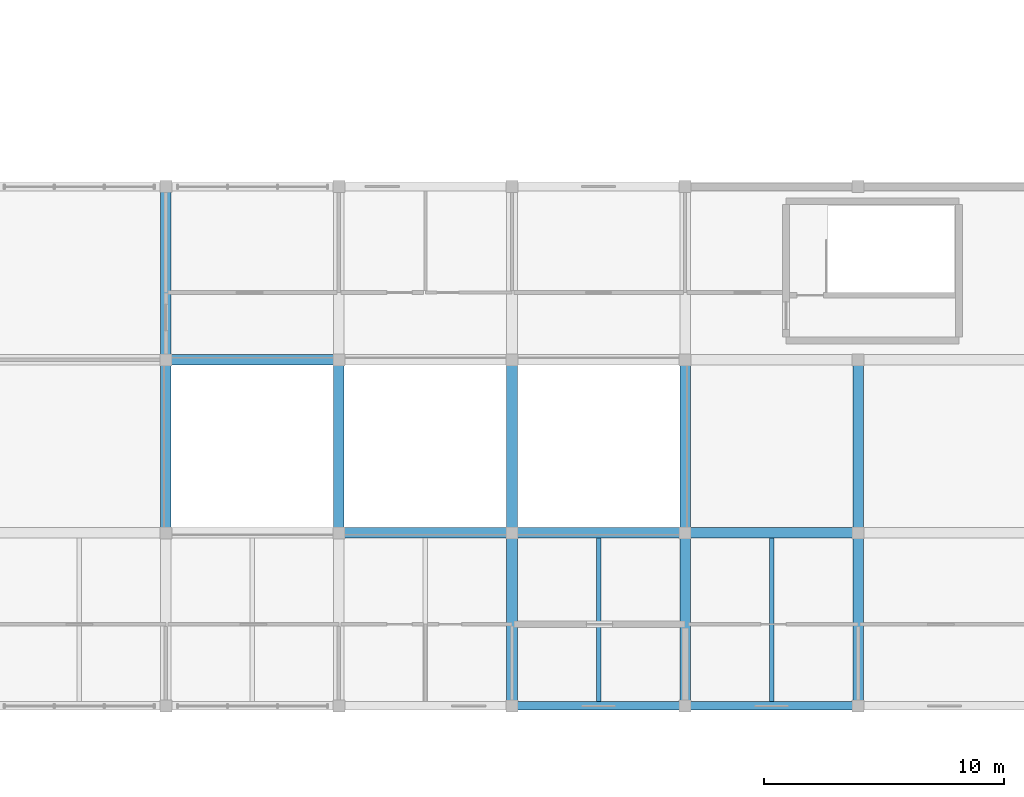
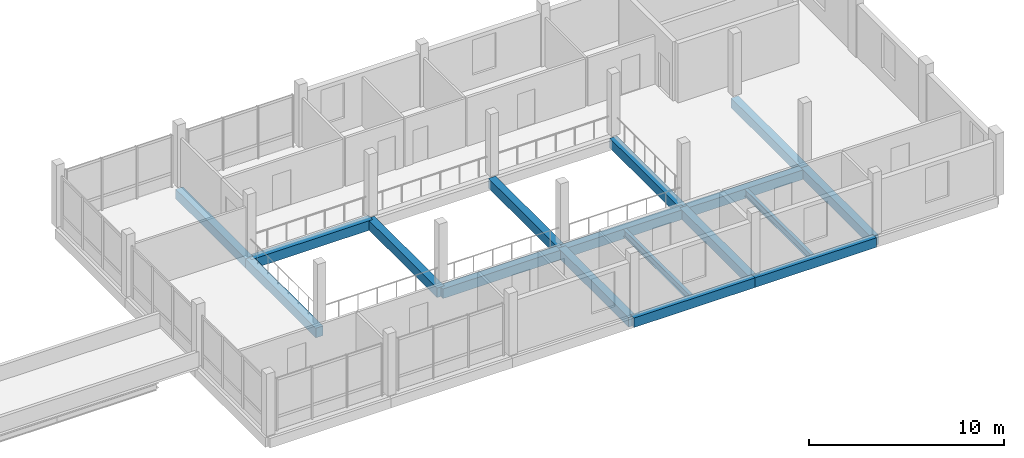
# One storey, part 80 of 128: 17 beams.
"""IFC4 building model written with IfcOpenShell, lengths in metres."""

from ifc_helpers import new_model, si_unit, direction, frame, origin, origin_2d, place, context, subcontext, project, spatial, rectangle, i_section, extrude, material, material_profile, profile_set, type_object, element, save


model = new_model("IFC4")

# Units and contexts
model_context = context("Model", 3, precision=1e-05, world=origin(), true_north=direction((0.0, 1.0)))
body_context = subcontext(model_context, "Body", "Model", "MODEL_VIEW")
ifc_project = project(units=[si_unit("LENGTHUNIT", "METRE"), si_unit("AREAUNIT", "SQUARE_METRE"), si_unit("VOLUMEUNIT", "CUBIC_METRE"), si_unit("PLANEANGLEUNIT", "RADIAN"), si_unit("MASSUNIT", "GRAM", prefix="KILO")], contexts=[model_context])

# Site, building, storey
site_placement = place(None, origin())
site = spatial("IfcSite", under=ifc_project, at=site_placement, CompositionType="ELEMENT")
building_placement = place(site_placement, origin())
building = spatial("IfcBuilding", under=site, at=building_placement, Name="Zornivar Specialist Clinic", CompositionType="ELEMENT")
storey_placement = place(building_placement, frame((0.0, 0.0, 4.5)))
storey = spatial("IfcBuildingStorey", under=building, at=storey_placement, Name="L01", CompositionType="ELEMENT", Elevation=4.5)

# Beams
ifc_material_1 = material(Name="Concrete C30/37", Category="concrete")
ifc_material_profile_1 = material_profile(ifc_material_1, rectangle(XDim=0.43994140625, YDim=0.60009765625, at=origin_2d()), Name="RC 440x600")
ifc_profile_set_1 = profile_set([ifc_material_profile_1], Name="Concrete C30/37")
beam_type_1 = type_object("IfcBeamType", Name="BM-RC-440x600", PredefinedType="BEAM", material=ifc_profile_set_1)
for number, where, z_axis, x_axis, name in (
    (1, (136.800048828125, 7.199951171875, -0.56005859375), (1.0, 0.0, 0.0), (0.0, 1.0, 0.0), "bm:V4:L01:x:72:2"),
    (2, (144.0, 7.199951171875, -0.56005859375), (1.0, 0.0, 0.0), (0.0, 1.0, 0.0), "bm:V4:L01:x:72:3"),
    (3, (151.199951171875, 7.199951171875, -0.56005859375), (1.0, 0.0, 0.0), (0.0, 1.0, 0.0), "bm:V4:L01:x:72:4"),
    (4, (129.60009765625, 14.39990234375, -0.56005859375), (1.0, 0.0, 0.0), (0.0, 1.0, 0.0), "bm:V4:L01:x:144:1"),
    (5, (129.60009765625, 7.199951171875, -0.56005859375), (0.0, 1.0, 0.0), (-1.0, 0.0, 0.0), "bm:V4:L01:y:1296:1"),
):
    element("IfcBeam", number, at=place(storey_placement, frame(where, z_axis=z_axis, x_axis=x_axis)), inside=storey, type_object=beam_type_1, Name=name, PredefinedType="BEAM", context=body_context, shape_type="SweptSolid", body=[
        extrude(rectangle(XDim=0.43994140625, YDim=0.60009765625, at=origin_2d()), origin(), (0.0, 0.0, 1.0), 7.199951171875),
    ])
beam_placement = place(storey_placement, frame((129.60009765625, 14.39990234375, -0.56005859375), z_axis=(0.0, 1.0, 0.0), x_axis=(-1.0, 0.0, 0.0)))
element("IfcBeam", 6, at=beam_placement, inside=storey, type_object=beam_type_1, Name="bm:V4:L01:y:1296:2", PredefinedType="BEAM", context=body_context, shape_type="SweptSolid", body=[
    extrude(rectangle(XDim=0.43994140625, YDim=0.60009765625, at=origin_2d()), origin(), (0.0, 0.0, 1.0), 7.2001953125),
])
for number, where, z_axis, x_axis, name in (
    (7, (136.800048828125, 7.199951171875, -0.56005859375), (0.0, 1.0, 0.0), (-1.0, 0.0, 0.0), "bm:V4:L01:y:1368:1"),
    (8, (144.0, 0.0, -0.56005859375), (0.0, 1.0, 0.0), (-1.0, 0.0, 0.0), "bm:V4:L01:y:1440:0"),
    (9, (144.0, 7.199951171875, -0.56005859375), (0.0, 1.0, 0.0), (-1.0, 0.0, 0.0), "bm:V4:L01:y:1440:1"),
    (10, (151.199951171875, 0.0, -0.56005859375), (0.0, 1.0, 0.0), (-1.0, 0.0, 0.0), "bm:V4:L01:y:1512:0"),
    (11, (151.199951171875, 7.199951171875, -0.56005859375), (0.0, 1.0, 0.0), (-1.0, 0.0, 0.0), "bm:V4:L01:y:1512:1"),
    (12, (158.39990234375, 0.0, -0.56005859375), (0.0, 1.0, 0.0), (-1.0, 0.0, 0.0), "bm:V4:L01:y:1584:0"),
    (13, (158.39990234375, 7.199951171875, -0.56005859375), (0.0, 1.0, 0.0), (-1.0, 0.0, 0.0), "bm:V4:L01:y:1584:1"),
):
    element("IfcBeam", number, at=place(storey_placement, frame(where, z_axis=z_axis, x_axis=x_axis)), inside=storey, type_object=beam_type_1, Name=name, PredefinedType="BEAM", context=body_context, shape_type="SweptSolid", body=[
        extrude(rectangle(XDim=0.43994140625, YDim=0.60009765625, at=origin_2d()), origin(), (0.0, 0.0, 1.0), 7.199951171875),
    ])
ifc_material_2 = material(Name="Concrete C30/37", Category="concrete")
ifc_material_profile_2 = material_profile(ifc_material_2, rectangle(XDim=0.35009765625, YDim=0.60009765625, at=origin_2d()), Name="RC 350x600")
ifc_profile_set_2 = profile_set([ifc_material_profile_2], Name="Concrete C30/37")
beam_type_2 = type_object("IfcBeamType", Name="BM-RC-SPANDREL-350x600", PredefinedType="SPANDREL", material=ifc_profile_set_2)
for number, where, z_axis, x_axis, name in (
    (14, (144.0, 0.0, -0.56005859375), (1.0, 0.0, 0.0), (0.0, 1.0, 0.0), "bm:V4:L01:x:0:3"),
    (15, (151.199951171875, 0.0, -0.56005859375), (1.0, 0.0, 0.0), (0.0, 1.0, 0.0), "bm:V4:L01:x:0:4"),
):
    element("IfcBeam", number, at=place(storey_placement, frame(where, z_axis=z_axis, x_axis=x_axis)), inside=storey, type_object=beam_type_2, Name=name, PredefinedType="SPANDREL", context=body_context, shape_type="SweptSolid", body=[
        extrude(rectangle(XDim=0.35009765625, YDim=0.60009765625, at=origin_2d()), origin(), (0.0, 0.0, 1.0), 7.199951171875),
    ])
ifc_material_3 = material(Name="Steel S355J2", Category="steel")
ifc_material_profile_3 = material_profile(ifc_material_3, i_section(OverallWidth=0.18994140625, OverallDepth=0.449951171875, WebThickness=0.009521484375, FlangeThickness=0.0146484375, FilletRadius=0.02099609375, at=origin_2d()), Name="IPE 450")
ifc_profile_set_3 = profile_set([ifc_material_profile_3], Name="Steel S355J2")
beam_type_3 = type_object("IfcBeamType", Name="BM-STL-IPE450", PredefinedType="BEAM", material=ifc_profile_set_3)
for number, where, z_axis, x_axis, name in (
    (16, (147.60009765625, 0.175048828125, -0.485107421875), (0.0, 1.0, 0.0), (-1.0, 0.0, 0.0), "bm:V4:L01:gird:3"),
    (17, (154.800048828125, 0.175048828125, -0.485107421875), (0.0, 1.0, 0.0), (-1.0, 0.0, 0.0), "bm:V4:L01:gird:4"),
):
    element("IfcBeam", number, at=place(storey_placement, frame(where, z_axis=z_axis, x_axis=x_axis)), inside=storey, type_object=beam_type_3, Name=name, PredefinedType="BEAM", context=body_context, shape_type="SweptSolid", body=[
        extrude(i_section(OverallWidth=0.18994140625, OverallDepth=0.449951171875, WebThickness=0.009521484375, FlangeThickness=0.0146484375, FilletRadius=0.02099609375, at=origin_2d()), origin(), (0.0, 0.0, 1.0), 6.804931640625),
    ])

save(model, "model.ifc")
